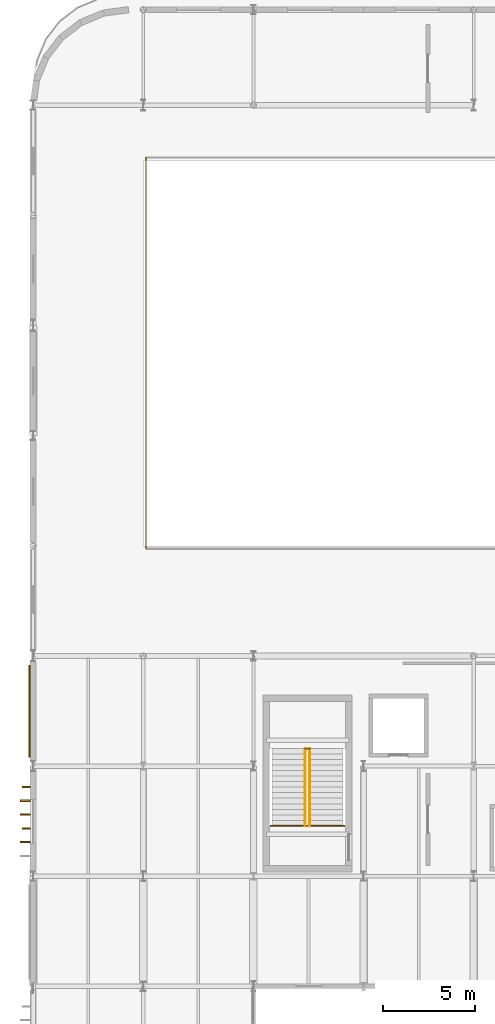
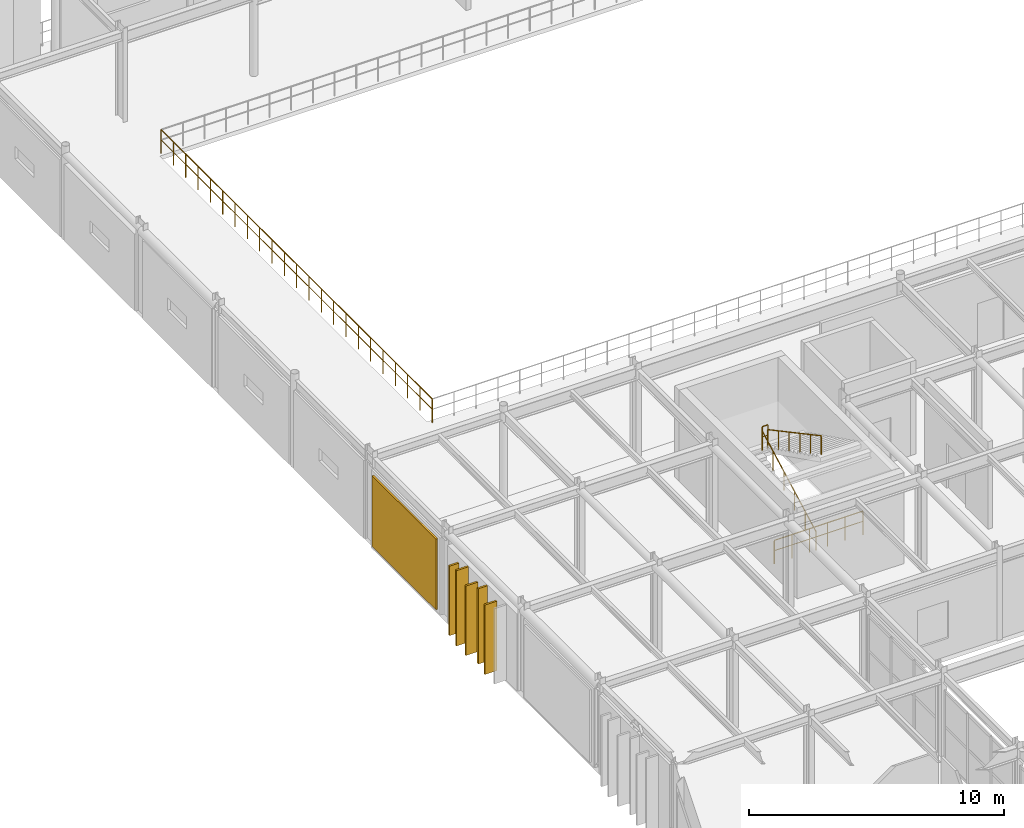
# One storey, part 75 of 84: 5 coverings, 5 railings, 1 shading device.
"""IFC4 building model written with IfcOpenShell, lengths in metres."""

from ifc_helpers import new_model, si_unit, direction, frame, origin, origin_2d, place, context, subcontext, project, spatial, rectangle, circle, extrude, material, layer, layer_set, type_object, element, save


model = new_model("IFC4")

# Units and contexts
model_context = context("Model", 3, precision=1e-05, world=origin(), true_north=direction((0.0, 1.0)))
body_context = subcontext(model_context, "Body", "Model", "MODEL_VIEW")
ifc_project = project(units=[si_unit("LENGTHUNIT", "METRE"), si_unit("AREAUNIT", "SQUARE_METRE"), si_unit("VOLUMEUNIT", "CUBIC_METRE"), si_unit("PLANEANGLEUNIT", "RADIAN"), si_unit("MASSUNIT", "GRAM", prefix="KILO")], contexts=[model_context])

# Site, building, storey
site_placement = place(None, origin())
site = spatial("IfcSite", under=ifc_project, at=site_placement, CompositionType="ELEMENT")
building_placement = place(site_placement, origin())
building = spatial("IfcBuilding", under=site, at=building_placement, Name="Varnakota Square Police Headquarters", CompositionType="ELEMENT")
storey_placement = place(building_placement, frame((0.0, 0.0, 13.5)))
storey = spatial("IfcBuildingStorey", under=building, at=storey_placement, Name="L03", CompositionType="ELEMENT", Elevation=13.5)

# Coverings
ifc_material_1 = material(Name="White Anodised Aluminium Vertical Facade Blade 420", Category="aluminium")
ifc_layer_1 = layer(ifc_material_1, 0.0849609375, Name="White Anodised Aluminium Vertical Facade Blade 420")
ifc_layer_set_1 = layer_set([ifc_layer_1], Name="White Anodised Aluminium Vertical Facade Blade 420")
covering_type_1 = type_object("IfcCoveringType", Name="COV-FIN-420", PredefinedType="CLADDING", material=ifc_layer_set_1)
covering_1_placement = place(storey_placement, frame((5.625, 65.612548828125, 0.0400390625), z_axis=(0.0, 0.0, 1.0), x_axis=(0.0, 1.0, 0.0)))
element("IfcCovering", 1, at=covering_1_placement, inside=storey, type_object=covering_type_1, Name="Vertical aluminium facade fin FIN-0998", PredefinedType="CLADDING", context=body_context, shape_type="SweptSolid", body=[
    extrude(rectangle(XDim=0.0849609375, YDim=0.419921875, at=origin_2d()), origin(), (0.0, 0.0, 1.0), 3.610107421875),
])
covering_2_placement = place(storey_placement, frame((5.625, 67.862548828125, 0.0400390625), z_axis=(0.0, 0.0, 1.0), x_axis=(0.0, 1.0, 0.0)))
element("IfcCovering", 2, at=covering_2_placement, inside=storey, type_object=covering_type_1, Name="Vertical aluminium facade fin FIN-1001", PredefinedType="CLADDING", context=body_context, shape_type="SweptSolid", body=[
    extrude(rectangle(XDim=0.0849609375, YDim=0.419921875, at=origin_2d()), origin(), (0.0, 0.0, 1.0), 3.330078125),
])
ifc_material_2 = material(Name="White Anodised Aluminium Vertical Facade Blade 550", Category="aluminium")
ifc_layer_2 = layer(ifc_material_2, 0.0849609375, Name="White Anodised Aluminium Vertical Facade Blade 550")
ifc_layer_set_2 = layer_set([ifc_layer_2], Name="White Anodised Aluminium Vertical Facade Blade 550")
covering_type_2 = type_object("IfcCoveringType", Name="COV-FIN-550", PredefinedType="CLADDING", material=ifc_layer_set_2)
for number, where, z_axis, x_axis, name in (
    (3, (5.56005859375, 64.862548828125, 0.0400390625), (0.0, 0.0, 1.0), (0.0, 1.0, 0.0), "Vertical aluminium facade fin FIN-0997"),
    (4, (5.56005859375, 66.362548828125, 0.0400390625), (0.0, 0.0, 1.0), (0.0, 1.0, 0.0), "Vertical aluminium facade fin FIN-0999"),
):
    element("IfcCovering", number, at=place(storey_placement, frame(where, z_axis=z_axis, x_axis=x_axis)), inside=storey, type_object=covering_type_2, Name=name, PredefinedType="CLADDING", context=body_context, shape_type="SweptSolid", body=[
        extrude(rectangle(XDim=0.0849609375, YDim=0.550048828125, at=origin_2d()), origin(), (0.0, 0.0, 1.0), 3.330078125),
    ])
covering_3_placement = place(storey_placement, frame((5.56005859375, 67.112548828125, 0.0400390625), z_axis=(0.0, 0.0, 1.0), x_axis=(0.0, 1.0, 0.0)))
element("IfcCovering", 5, at=covering_3_placement, inside=storey, type_object=covering_type_2, Name="Vertical aluminium facade fin FIN-1000", PredefinedType="CLADDING", context=body_context, shape_type="SweptSolid", body=[
    extrude(rectangle(XDim=0.0849609375, YDim=0.550048828125, at=origin_2d()), origin(), (0.0, 0.0, 1.0), 3.610107421875),
])

# Railings
ifc_material_3 = material(Name="Brushed Stainless Steel Tubular Handrail", Category="steel")
railing_type_1 = type_object("IfcRailingType", Name="RL-HND-920", PredefinedType="HANDRAIL", material=ifc_material_3)
railing_1_placement = place(storey_placement, frame((20.830078125, 65.75, 0.0)))
element("IfcRailing", 6, at=railing_1_placement, inside=storey, type_object=railing_type_1, Name="Stair flight handrail HR-L03-061", PredefinedType="HANDRAIL", context=body_context, shape_type="SweptSolid", body=[
    extrude(circle(Radius=0.02392578125, at=origin_2d()), frame((0.0, 0.0, 0.89599609375), z_axis=(0.0, 0.881511956786, 0.472161699043), x_axis=(-1.0, 0.0, 0.0)), (0.0, 0.0, 1.0), 4.765380859375),
    extrude(circle(Radius=0.02099609375, at=origin_2d()), origin(), (0.0, 0.0, 1.0), 0.871826171875),
    extrude(circle(Radius=0.02099609375, at=origin_2d()), frame((0.0, 0.840087890625, 0.449951171875)), (0.0, 0.0, 1.0), 0.871826171875),
    extrude(circle(Radius=0.02099609375, at=origin_2d()), frame((0.0, 1.68017578125, 0.89990234375)), (0.0, 0.0, 1.0), 0.871826171875),
    extrude(circle(Radius=0.02099609375, at=origin_2d()), frame((0.0, 2.5205078125, 1.35009765625)), (0.0, 0.0, 1.0), 0.871826171875),
    extrude(circle(Radius=0.02099609375, at=origin_2d()), frame((0.0, 3.360595703125, 1.800048828125)), (0.0, 0.0, 1.0), 0.871826171875),
    extrude(circle(Radius=0.02099609375, at=origin_2d()), frame((0.0, 4.20068359375, 2.25)), (0.0, 0.0, 1.0), 0.871826171875),
])
railing_2_placement = place(storey_placement, frame((21.070068359375, 69.95068359375, 2.25)))
element("IfcRailing", 7, at=railing_2_placement, inside=storey, type_object=railing_type_1, Name="Stair flight handrail HR-L03-062", PredefinedType="HANDRAIL", context=body_context, shape_type="SweptSolid", body=[
    extrude(circle(Radius=0.02392578125, at=origin_2d()), frame((0.0, 0.0, 0.89599609375), z_axis=(0.0, -0.881511956786, 0.472161699043), x_axis=(1.0, 0.0, 0.0)), (0.0, 0.0, 1.0), 4.765380859375),
    extrude(circle(Radius=0.02099609375, at=origin_2d()), origin(), (0.0, 0.0, 1.0), 0.871826171875),
    extrude(circle(Radius=0.02099609375, at=origin_2d()), frame((0.0, -0.840087890625, 0.449951171875)), (0.0, 0.0, 1.0), 0.871826171875),
    extrude(circle(Radius=0.02099609375, at=origin_2d()), frame((0.0, -1.68017578125, 0.89990234375)), (0.0, 0.0, 1.0), 0.871826171875),
    extrude(circle(Radius=0.02099609375, at=origin_2d()), frame((0.0, -2.5205078125, 1.35009765625)), (0.0, 0.0, 1.0), 0.871826171875),
    extrude(circle(Radius=0.02099609375, at=origin_2d()), frame((0.0, -3.360595703125, 1.800048828125)), (0.0, 0.0, 1.0), 0.871826171875),
    extrude(circle(Radius=0.02099609375, at=origin_2d()), frame((0.0, -4.20068359375, 2.25)), (0.0, 0.0, 1.0), 0.871826171875),
])
ifc_material_4 = material(Name="Laminated Glass and Stainless Steel Balustrade", Category="steel")
railing_type_2 = type_object("IfcRailingType", Name="RL-INT-1150", PredefinedType="BALUSTRADE", material=ifc_material_4)
railing_3_placement = place(storey_placement, frame((18.93994140625, 65.75, 0.0)))
element("IfcRailing", 8, at=railing_3_placement, inside=storey, type_object=railing_type_2, Name="Stair well safety guard C5 L03", PredefinedType="BALUSTRADE", context=body_context, shape_type="SweptSolid", body=[
    extrude(circle(Radius=0.02392578125, at=origin_2d()), frame((0.0, 0.0, 1.1259765625), z_axis=(1.0, 0.0, 0.0), x_axis=(0.0, 1.0, 0.0)), (0.0, 0.0, 1.0), 4.02001953125),
    extrude(circle(Radius=0.01806640625, at=origin_2d()), frame((0.0, 0.0, 0.63232421875), z_axis=(1.0, 0.0, 0.0), x_axis=(0.0, 1.0, 0.0)), (0.0, 0.0, 1.0), 4.02001953125),
    extrude(circle(Radius=0.02099609375, at=origin_2d()), origin(), (0.0, 0.0, 1.0), 1.101806640625),
    extrude(circle(Radius=0.02099609375, at=origin_2d()), frame((0.803955078125, 0.0, 0.0)), (0.0, 0.0, 1.0), 1.101806640625),
    extrude(circle(Radius=0.02099609375, at=origin_2d()), frame((1.60791015625, 0.0, 0.0)), (0.0, 0.0, 1.0), 1.101806640625),
    extrude(circle(Radius=0.02099609375, at=origin_2d()), frame((2.412109375, 0.0, 0.0)), (0.0, 0.0, 1.0), 1.101806640625),
    extrude(circle(Radius=0.02099609375, at=origin_2d()), frame((3.216064453125, 0.0, 0.0)), (0.0, 0.0, 1.0), 1.101806640625),
    extrude(circle(Radius=0.02099609375, at=origin_2d()), frame((4.02001953125, 0.0, 0.0)), (0.0, 0.0, 1.0), 1.101806640625),
])
railing_4_placement = place(storey_placement, frame((20.820068359375, 69.95068359375, 2.25)))
element("IfcRailing", 9, at=railing_4_placement, inside=storey, type_object=railing_type_2, Name="Half-landing well guard C5 L03", PredefinedType="BALUSTRADE", context=body_context, shape_type="SweptSolid", body=[
    extrude(circle(Radius=0.02392578125, at=origin_2d()), frame((0.0, 0.0, 1.1259765625), z_axis=(1.0, 0.0, 0.0), x_axis=(0.0, 1.0, 0.0)), (0.0, 0.0, 1.0), 0.260009765625),
    extrude(circle(Radius=0.01806640625, at=origin_2d()), frame((0.0, 0.0, 0.63232421875), z_axis=(1.0, 0.0, 0.0), x_axis=(0.0, 1.0, 0.0)), (0.0, 0.0, 1.0), 0.260009765625),
    extrude(circle(Radius=0.02099609375, at=origin_2d()), origin(), (0.0, 0.0, 1.0), 1.101806640625),
    extrude(circle(Radius=0.02099609375, at=origin_2d()), frame((0.260009765625, 0.0, 0.0)), (0.0, 0.0, 1.0), 1.101806640625),
])
railing_5_placement = place(storey_placement, frame((12.14990234375, 102.14990234375, 0.0)))
element("IfcRailing", 10, at=railing_5_placement, inside=storey, type_object=railing_type_2, Name="Gymnasium upper gallery balustrade", PredefinedType="BALUSTRADE", context=body_context, shape_type="SweptSolid", body=[
    extrude(circle(Radius=0.02392578125, at=origin_2d()), frame((0.0, 0.0, 1.1259765625), z_axis=(0.0, -1.0, 0.0), x_axis=(1.0, 0.0, 0.0)), (0.0, 0.0, 1.0), 21.2998046875),
    extrude(circle(Radius=0.01806640625, at=origin_2d()), frame((0.0, 0.0, 0.63232421875), z_axis=(0.0, -1.0, 0.0), x_axis=(1.0, 0.0, 0.0)), (0.0, 0.0, 1.0), 21.2998046875),
    extrude(circle(Radius=0.02099609375, at=origin_2d()), origin(), (0.0, 0.0, 1.0), 1.101806640625),
    extrude(circle(Radius=0.02099609375, at=origin_2d()), frame((0.0, -0.96826171875, 0.0)), (0.0, 0.0, 1.0), 1.101806640625),
    extrude(circle(Radius=0.02099609375, at=origin_2d()), frame((0.0, -1.936279296875, 0.0)), (0.0, 0.0, 1.0), 1.101806640625),
    extrude(circle(Radius=0.02099609375, at=origin_2d()), frame((0.0, -2.904541015625, 0.0)), (0.0, 0.0, 1.0), 1.101806640625),
    extrude(circle(Radius=0.02099609375, at=origin_2d()), frame((0.0, -3.872802734375, 0.0)), (0.0, 0.0, 1.0), 1.101806640625),
    extrude(circle(Radius=0.02099609375, at=origin_2d()), frame((0.0, -4.8408203125, 0.0)), (0.0, 0.0, 1.0), 1.101806640625),
    extrude(circle(Radius=0.02099609375, at=origin_2d()), frame((0.0, -5.80908203125, 0.0)), (0.0, 0.0, 1.0), 1.101806640625),
    extrude(circle(Radius=0.02099609375, at=origin_2d()), frame((0.0, -6.777099609375, 0.0)), (0.0, 0.0, 1.0), 1.101806640625),
    extrude(circle(Radius=0.02099609375, at=origin_2d()), frame((0.0, -7.745361328125, 0.0)), (0.0, 0.0, 1.0), 1.101806640625),
    extrude(circle(Radius=0.02099609375, at=origin_2d()), frame((0.0, -8.713623046875, 0.0)), (0.0, 0.0, 1.0), 1.101806640625),
    extrude(circle(Radius=0.02099609375, at=origin_2d()), frame((0.0, -9.681640625, 0.0)), (0.0, 0.0, 1.0), 1.101806640625),
    extrude(circle(Radius=0.02099609375, at=origin_2d()), frame((0.0, -10.64990234375, 0.0)), (0.0, 0.0, 1.0), 1.101806640625),
    extrude(circle(Radius=0.02099609375, at=origin_2d()), frame((0.0, -11.6181640625, 0.0)), (0.0, 0.0, 1.0), 1.101806640625),
    extrude(circle(Radius=0.02099609375, at=origin_2d()), frame((0.0, -12.586181640625, 0.0)), (0.0, 0.0, 1.0), 1.101806640625),
    extrude(circle(Radius=0.02099609375, at=origin_2d()), frame((0.0, -13.554443359375, 0.0)), (0.0, 0.0, 1.0), 1.101806640625),
    extrude(circle(Radius=0.02099609375, at=origin_2d()), frame((0.0, -14.522705078125, 0.0)), (0.0, 0.0, 1.0), 1.101806640625),
    extrude(circle(Radius=0.02099609375, at=origin_2d()), frame((0.0, -15.49072265625, 0.0)), (0.0, 0.0, 1.0), 1.101806640625),
    extrude(circle(Radius=0.02099609375, at=origin_2d()), frame((0.0, -16.458984375, 0.0)), (0.0, 0.0, 1.0), 1.101806640625),
    extrude(circle(Radius=0.02099609375, at=origin_2d()), frame((0.0, -17.427001953125, 0.0)), (0.0, 0.0, 1.0), 1.101806640625),
    extrude(circle(Radius=0.02099609375, at=origin_2d()), frame((0.0, -18.395263671875, 0.0)), (0.0, 0.0, 1.0), 1.101806640625),
    extrude(circle(Radius=0.02099609375, at=origin_2d()), frame((0.0, -19.363525390625, 0.0)), (0.0, 0.0, 1.0), 1.101806640625),
    extrude(circle(Radius=0.02099609375, at=origin_2d()), frame((0.0, -20.33154296875, 0.0)), (0.0, 0.0, 1.0), 1.101806640625),
    extrude(circle(Radius=0.02099609375, at=origin_2d()), frame((0.0, -21.2998046875, 0.0)), (0.0, 0.0, 1.0), 1.101806640625),
])

# Shading device
ifc_material_5 = material(Name="Perforated Sandstone-Toned GRC Jali Screen", Category="masonry")
ifc_layer_3 = layer(ifc_material_5, 0.080078125, Name="Perforated Sandstone-Toned GRC Jali Screen")
ifc_layer_set_3 = layer_set([ifc_layer_3], Name="Perforated Sandstone-Toned GRC Jali Screen")
shading_device_type = type_object("IfcShadingDeviceType", Name="SHD-SCR-GRC", PredefinedType="USERDEFINED", material=ifc_layer_set_3)
shading_device_placement = place(storey_placement, frame((5.7919921875, 71.987548828125, 0.14990234375), z_axis=(0.0, 0.0, 1.0), x_axis=(0.0, 1.0, 0.0)))
element("IfcShadingDevice", 11, at=shading_device_placement, inside=storey, type_object=shading_device_type, Name="Perforated GRC solar screen SCR-017", ObjectType="SOLAR SCREEN", PredefinedType="USERDEFINED", context=body_context, shape_type="SweptSolid", body=[
    extrude(rectangle(XDim=5.01708984375, YDim=0.080078125, at=origin_2d()), origin(), (0.0, 0.0, 1.0), 3.389892578125),
])

save(model, "model.ifc")
